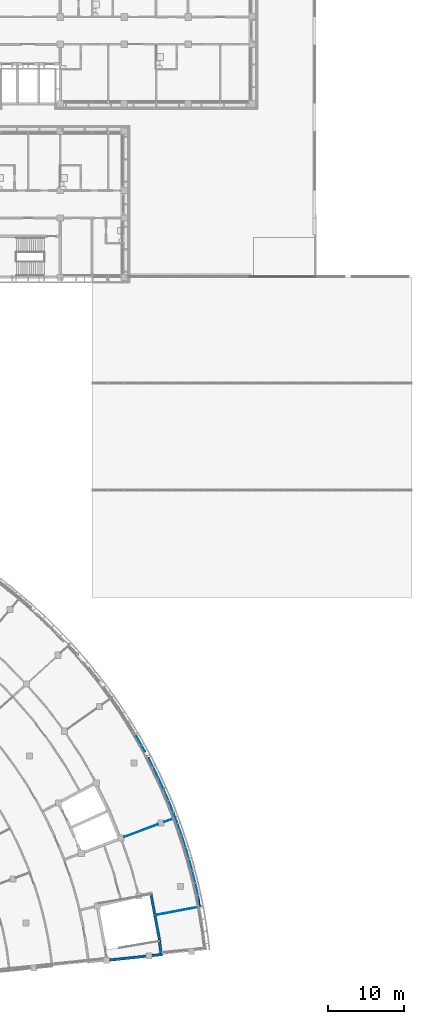
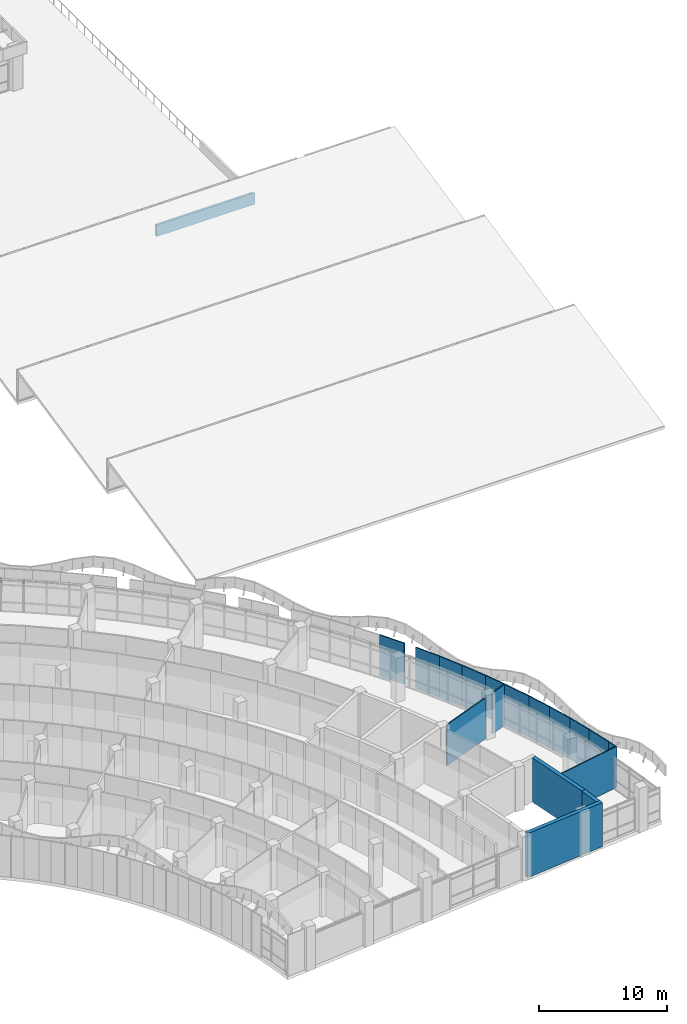
# One storey, part 85 of 137: 18 walls.
"""IFC4 building model written with IfcOpenShell, lengths in metres."""

from ifc_helpers import new_model, si_unit, direction, frame, frame_2d, origin, place, context, subcontext, project, spatial, polyline, rectangle, outline, extrude, material, layer, layer_set, type_object, element, save


model = new_model("IFC4")

# Units and contexts
model_context = context("Model", 3, precision=1e-05, world=origin(), true_north=direction((0.0, 1.0)))
body_context = subcontext(model_context, "Body", "Model", "MODEL_VIEW")
ifc_project = project(units=[si_unit("LENGTHUNIT", "METRE"), si_unit("AREAUNIT", "SQUARE_METRE"), si_unit("VOLUMEUNIT", "CUBIC_METRE"), si_unit("PLANEANGLEUNIT", "RADIAN"), si_unit("MASSUNIT", "GRAM", prefix="KILO")], contexts=[model_context])

# Site, building, storey
site_placement = place(None, origin())
site = spatial("IfcSite", under=ifc_project, at=site_placement, CompositionType="ELEMENT")
building_placement = place(site_placement, origin())
building = spatial("IfcBuilding", under=site, at=building_placement, Name="Bougainvillea Quay General Hospital", CompositionType="ELEMENT")
storey_placement = place(building_placement, frame((0.0, 0.0, 16.800048828125)))
storey = spatial("IfcBuildingStorey", under=building, at=storey_placement, Name="L03", CompositionType="ELEMENT", Elevation=16.800048828125)

# Walls
ifc_material_1 = material(Name="Gypsum board partition on steel studs", Category="steel")
ifc_layer_1 = layer(ifc_material_1, 0.10009765625)
ifc_layer_set_1 = layer_set([ifc_layer_1], Name="Gypsum board partition on steel studs")
wall_type_1 = type_object("IfcWallType", Name="Partition 100 Gypsum board partition EI 30", PredefinedType="PARTITIONING", material=ifc_layer_set_1)
wall_1_placement = place(storey_placement, frame((168.016357421875, 44.14013671875, 0.0), z_axis=(0.0, 0.0, 1.0), x_axis=(0.935850976525, 0.352396012659, 0.0)))
element("IfcWall", 1, at=wall_1_placement, inside=storey, type_object=wall_type_1, Name="Partition 100 mm EI 30", PredefinedType="PARTITIONING", context=body_context, shape_type="SweptSolid", body=[
    extrude(rectangle(XDim=4.708251953125, YDim=0.10009765625, at=frame_2d((2.35400390625, 0.0))), origin(), (0.0, 0.0, 1.0), 3.89990234375),
])
wall_2_placement = place(storey_placement, frame((173.25732421875, 46.113525390625, 0.0), z_axis=(0.0, 0.0, 1.0), x_axis=(0.93586999438, 0.35234550319, 0.0)))
element("IfcWall", 2, at=wall_2_placement, inside=storey, type_object=wall_type_1, Name="Partition 100 mm EI 30", PredefinedType="PARTITIONING", context=body_context, shape_type="SweptSolid", body=[
    extrude(rectangle(XDim=1.597900390625, YDim=0.10009765625, at=frame_2d((0.798828125, 0.0))), origin(), (0.0, 0.0, 1.0), 3.89990234375),
])
wall_3_placement = place(storey_placement, frame((172.18701171875, 33.90380859375, 0.0), z_axis=(0.0, 0.0, 1.0), x_axis=(0.982613852835, 0.185661025037, 0.0)))
element("IfcWall", 3, at=wall_3_placement, inside=storey, type_object=wall_type_1, Name="Partition 100 mm EI 30", PredefinedType="PARTITIONING", context=body_context, shape_type="SweptSolid", body=[
    extrude(rectangle(XDim=5.9384765625, YDim=0.10009765625, at=frame_2d((2.96923828125, 0.0))), origin(), (0.0, 0.0, 1.0), 3.89990234375),
])
wall_4_placement = place(storey_placement, frame((174.72314453125, 46.611083984375, 0.0), z_axis=(0.0, 0.0, 1.0), x_axis=(0.336762779461, -0.94158952329, 0.0)))
element("IfcWall", 4, at=wall_4_placement, inside=storey, type_object=wall_type_1, Name="Partition 100 mm EI 30", PredefinedType="PARTITIONING", context=body_context, shape_type="SweptSolid", body=[
    extrude(rectangle(XDim=2.46630859375, YDim=0.10009765625, at=frame_2d((1.233154296875, 0.0))), origin(), (0.0, 0.0, 1.0), 3.89990234375),
])
wall_5_placement = place(storey_placement, frame((169.62353515625, 57.32958984375, 0.0), z_axis=(0.0, 0.0, 1.0), x_axis=(0.490245804698, -0.871584219095, 0.0)))
element("IfcWall", 5, at=wall_5_placement, inside=storey, type_object=wall_type_1, Name="Partition 100 mm EI 30", PredefinedType="PARTITIONING", context=body_context, shape_type="SweptSolid", body=[
    extrude(rectangle(XDim=2.2529296875, YDim=0.10009765625, at=frame_2d((1.12646484375, 0.0))), origin(), (0.0, 0.0, 1.0), 3.89990234375),
])
wall_6_placement = place(storey_placement, frame((171.220947265625, 54.444091796875, 0.0), z_axis=(0.0, 0.0, 1.0), x_axis=(0.449727785834, -0.893165672565, 0.0)))
element("IfcWall", 6, at=wall_6_placement, inside=storey, type_object=wall_type_1, Name="Partition 100 mm EI 30", PredefinedType="PARTITIONING", context=body_context, shape_type="SweptSolid", body=[
    extrude(rectangle(XDim=2.251220703125, YDim=0.10009765625, at=frame_2d((1.12548828125, 0.0))), origin(), (0.0, 0.0, 1.0), 3.89990234375),
])
wall_7_placement = place(storey_placement, frame((173.118408203125, 50.529052734375, 0.0), z_axis=(0.0, 0.0, 1.0), x_axis=(0.392535641105, -0.919736794122, 0.0)))
element("IfcWall", 7, at=wall_7_placement, inside=storey, type_object=wall_type_1, Name="Partition 100 mm EI 30", PredefinedType="PARTITIONING", context=body_context, shape_type="SweptSolid", body=[
    extrude(rectangle(XDim=2.300537109375, YDim=0.10009765625, at=frame_2d((1.150390625, 0.0))), origin(), (0.0, 0.0, 1.0), 3.89990234375),
])
wall_8_placement = place(storey_placement, frame((177.336181640625, 38.039794921875, 0.0), z_axis=(0.0, 0.0, 1.0), x_axis=(0.213187334012, -0.977011341089, 0.0)))
element("IfcWall", 8, at=wall_8_placement, inside=storey, type_object=wall_type_1, Name="Partition 100 mm EI 30", PredefinedType="PARTITIONING", context=body_context, shape_type="SweptSolid", body=[
    extrude(rectangle(XDim=2.30078125, YDim=0.10009765625, at=frame_2d((1.150390625, 0.0))), origin(), (0.0, 0.0, 1.0), 3.89990234375),
])
wall_9_placement = place(storey_placement, frame((175.5517578125, 44.289794921875, 0.0), z_axis=(0.0, 0.0, 1.0), x_axis=(0.304461914253, -0.952524510325, 0.0)))
element("IfcWall", 9, at=wall_9_placement, inside=storey, type_object=wall_type_1, Name="Partition 100 mm EI 30", PredefinedType="PARTITIONING", context=body_context, shape_type="SweptSolid", body=[
    extrude(rectangle(XDim=2.201904296875, YDim=0.10009765625, at=frame_2d((1.10107421875, 0.0))), origin(), (0.0, 0.0, 1.0), 3.89990234375),
])
wall_10_placement = place(storey_placement, frame((176.22021484375, 42.193359375, 0.0), z_axis=(0.0, 0.0, 1.0), x_axis=(0.274105977671, -0.961699492048, 0.0)))
element("IfcWall", 10, at=wall_10_placement, inside=storey, type_object=wall_type_1, Name="Partition 100 mm EI 30", PredefinedType="PARTITIONING", context=body_context, shape_type="SweptSolid", body=[
    extrude(rectangle(XDim=2.20166015625, YDim=0.10009765625, at=frame_2d((1.100830078125, 0.0))), origin(), (0.0, 0.0, 1.0), 3.89990234375),
])
wall_11_placement = place(storey_placement, frame((172.2314453125, 52.43408203125, 0.0), z_axis=(0.0, 0.0, 1.0), x_axis=(0.42144215668, -0.906855285353, 0.0)))
element("IfcWall", 11, at=wall_11_placement, inside=storey, type_object=wall_type_1, Name="Partition 100 mm EI 30", PredefinedType="PARTITIONING", context=body_context, shape_type="SweptSolid", body=[
    extrude(rectangle(XDim=2.102783203125, YDim=0.10009765625, at=frame_2d((1.05126953125, 0.0))), origin(), (0.0, 0.0, 1.0), 3.89990234375),
])
wall_12_placement = place(storey_placement, frame((176.82177734375, 40.076904296875, 0.0), z_axis=(0.0, 0.0, 1.0), x_axis=(0.244201941447, -0.969724399917, 0.0)))
element("IfcWall", 12, at=wall_12_placement, inside=storey, type_object=wall_type_1, Name="Partition 100 mm EI 30", PredefinedType="PARTITIONING", context=body_context, shape_type="SweptSolid", body=[
    extrude(rectangle(XDim=2.1025390625, YDim=0.10009765625, at=frame_2d((1.05126953125, 0.0))), origin(), (0.0, 0.0, 1.0), 3.89990234375),
])
wall_13_placement = place(storey_placement, frame((174.019775390625, 48.413818359375, 0.0), z_axis=(0.0, 0.0, 1.0), x_axis=(0.364148326517, -0.931340966722, 0.0)))
element("IfcWall", 13, at=wall_13_placement, inside=storey, type_object=wall_type_1, Name="Partition 100 mm EI 30", PredefinedType="PARTITIONING", context=body_context, shape_type="SweptSolid", body=[
    extrude(rectangle(XDim=1.833740234375, YDim=0.10009765625, at=frame_2d((0.9169921875, 0.0))), origin(), (0.0, 0.0, 1.0), 3.89990234375),
])
wall_14_placement = place(storey_placement, frame((177.824951171875, 35.793212890625, 0.0), z_axis=(0.0, 0.0, 1.0), x_axis=(0.18287179521, -0.983136768978, 0.0)))
element("IfcWall", 14, at=wall_14_placement, inside=storey, type_object=wall_type_1, Name="Partition 100 mm EI 30", PredefinedType="PARTITIONING", context=body_context, shape_type="SweptSolid", body=[
    extrude(rectangle(XDim=0.759521484375, YDim=0.10009765625, at=frame_2d((0.3798828125, 0.0))), origin(), (0.0, 0.0, 1.0), 3.89990234375),
])
ifc_material_2 = material(Name="Concrete C40", Category="concrete")
ifc_layer_2 = layer(ifc_material_2, 0.35009765625)
ifc_layer_set_2 = layer_set([ifc_layer_2], Name="Concrete C40")
wall_type_2 = type_object("IfcWallType", Name="RC SHEAR WALL 350 C40", PredefinedType="SHEAR", material=ifc_layer_set_2)
wall_15_placement = place(storey_placement, frame((165.862060546875, 27.959228515625, 0.0), z_axis=(0.0, 0.0, 1.0), x_axis=(0.99451418157, 0.104601829128, 0.0)))
element("IfcWall", 15, at=wall_15_placement, inside=storey, type_object=wall_type_2, Name="Shear wall L03", PredefinedType="SHEAR", context=body_context, shape_type="SweptSolid", body=[
    extrude(rectangle(XDim=7.200439453125, YDim=0.35009765625, at=frame_2d((3.60009765625, 0.0))), origin(), (0.0, 0.0, 1.0), 4.199951171875),
])
wall_16_placement = place(storey_placement, frame((172.603759765625, 30.715576171875, 0.0), z_axis=(0.0, 0.0, 1.0), x_axis=(0.120401871373, -0.992725233572, 0.0)))
element("IfcWall", 16, at=wall_16_placement, inside=storey, type_object=wall_type_2, Name="Shear wall L03", PredefinedType="SHEAR", context=body_context, shape_type="SweptSolid", body=[
    extrude(rectangle(XDim=1.861328125, YDim=0.35009765625, at=frame_2d((0.9306640625, 0.0))), origin(), (0.0, 0.0, 1.0), 4.199951171875),
])
wall_17_placement = place(storey_placement, frame((172.60205078125, 30.7265625, 0.0), z_axis=(0.0, 0.0, 1.0), x_axis=(-0.18353204361, 0.983013727762, 0.0)))
element("IfcWall", 17, at=wall_17_placement, inside=storey, type_object=wall_type_2, Name="Shear wall L03", PredefinedType="SHEAR", context=body_context, shape_type="SweptSolid", body=[
    extrude(rectangle(XDim=5.943603515625, YDim=0.35009765625, at=frame_2d((2.9716796875, 0.0))), origin(), (0.0, 0.0, 1.0), 4.199951171875),
])
ifc_material_3 = material(Name="Concrete C35 upstand, painted white", Category="concrete")
ifc_layer_3 = layer(ifc_material_3, 0.199951171875)
ifc_layer_set_3 = layer_set([ifc_layer_3], Name="Concrete C35 upstand, painted white")
wall_type_3 = type_object("IfcWallType", Name="Roof parapet wall 200", PredefinedType="PARAPET", material=ifc_layer_set_3)
wall_18_placement = place(storey_placement, origin())
element("IfcWall", 18, at=wall_18_placement, inside=storey, type_object=wall_type_3, Name="Roof parapet par 2", PredefinedType="PARAPET", context=body_context, shape_type="SweptSolid", body=[
    extrude(outline(polyline([(184.35009765625, 117.800048828125), (193.0, 117.800048828125), (193.199951171875, 117.60009765625), (184.35009765625, 117.60009765625), (184.35009765625, 117.800048828125)])), origin(), (0.0, 0.0, 1.0), 1.099853515625),
])

save(model, "model.ifc")
